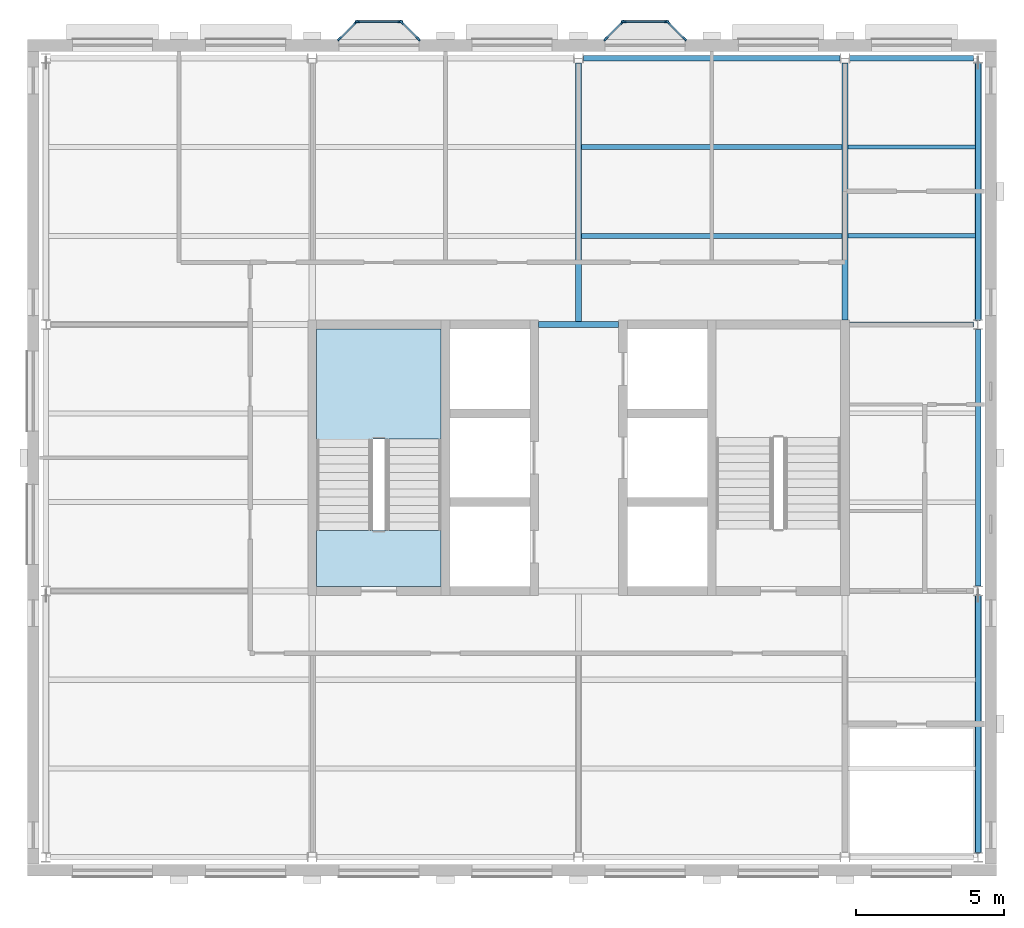
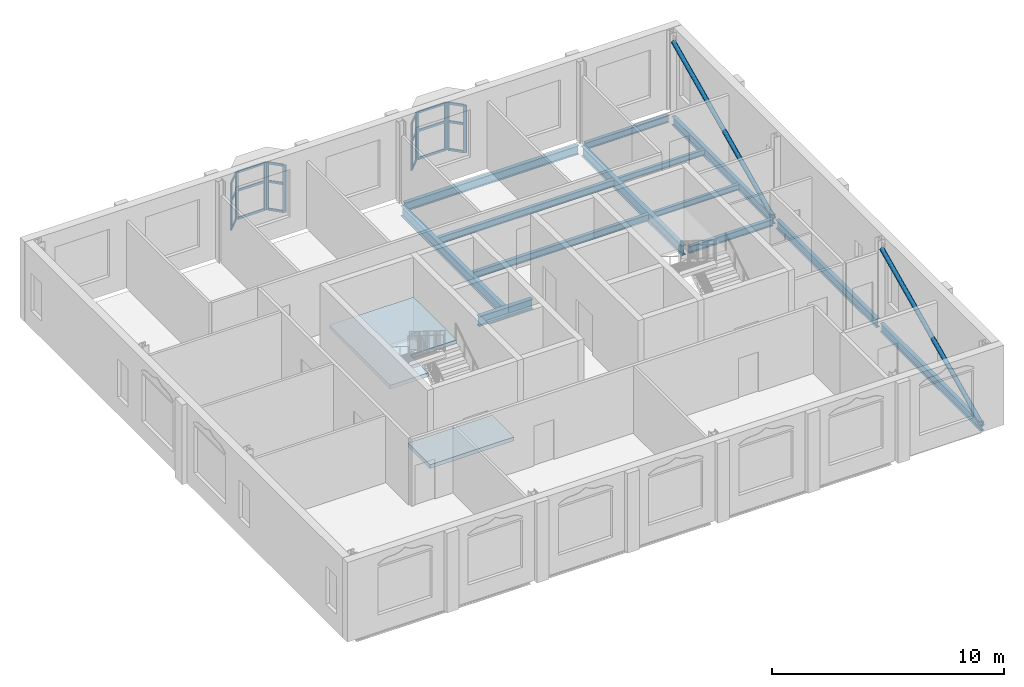
# One storey, part 2 of 9: 32 members, 13 beams, 2 slabs, 7 elements without a shape of their own.
"""IFC4 building model written with IfcOpenShell, lengths in metres."""

from ifc_helpers import new_model, si_unit, direction, frame, origin, origin_2d, place, context, subcontext, project, spatial, polyline, rectangle, hollow_circle, i_section, outline, extrude, material, layer, layer_set, material_profile, profile_set, type_object, element, aggregate, save


model = new_model("IFC4")

# Units and contexts
model_context = context("Model", 3, precision=1e-05, world=origin(), true_north=direction((0.0, 1.0)))
body_context = subcontext(model_context, "Body", "Model", "MODEL_VIEW")
ifc_project = project(units=[si_unit("LENGTHUNIT", "METRE"), si_unit("AREAUNIT", "SQUARE_METRE"), si_unit("VOLUMEUNIT", "CUBIC_METRE"), si_unit("PLANEANGLEUNIT", "RADIAN"), si_unit("MASSUNIT", "GRAM", prefix="KILO")], contexts=[model_context])

# Site, building, storey
site_placement = place(None, origin())
site = spatial("IfcSite", under=ifc_project, at=site_placement, CompositionType="ELEMENT")
building_placement = place(site_placement, origin())
building = spatial("IfcBuilding", under=site, at=building_placement, Name="Hortulan Conservatory and Botanical Research Centre", CompositionType="ELEMENT")
storey_placement = place(building_placement, frame((0.0, 0.0, 57.0)))
storey = spatial("IfcBuildingStorey", under=building, at=storey_placement, Name="L13", CompositionType="ELEMENT", Elevation=57.0)

# Members
ifc_material_1 = material(Name="Steel Grade C350L0 (350 MPa, AS/NZS 1163)", Category="steel")
ifc_material_profile_1 = material_profile(ifc_material_1, hollow_circle(Radius=0.109619140625, WallThickness=0.00830078125, at=origin_2d()), Name="219.1x8.2CHS")
ifc_profile_set_1 = profile_set([ifc_material_profile_1], Name="Steel Grade C350L0 (350 MPa, AS/NZS 1163)")
member_type_1 = type_object("IfcMemberType", Name="Brace 219.1x8.2CHS", PredefinedType="BRACE", material=ifc_profile_set_1)
for number, where, z_axis, x_axis, name in (
    (1, (31.5, 0.160400390625, -0.28369140625), (0.0, 0.906183139995, 0.422885465331), (-1.0, 0.0, 0.0), "219.1x8.2CHS brace"),
    (2, (31.5, 18.160400390625, -0.28369140625), (0.0, 0.906183139995, 0.422885465331), (-1.0, 0.0, 0.0), "219.1x8.2CHS brace"),
):
    element("IfcMember", number, at=place(storey_placement, frame(where, z_axis=z_axis, x_axis=x_axis)), inside=storey, type_object=member_type_1, Name=name, PredefinedType="BRACE", context=body_context, shape_type="SweptSolid", body=[
        extrude(hollow_circle(Radius=0.109619140625, WallThickness=0.00830078125, at=origin_2d()), origin(), (0.0, 0.0, 1.0), 9.57763671875),
    ])

# Curtain wall, members
ifc_material_2 = material(Name="Bronze-finished aluminium", Category="aluminium")
ifc_layer_1 = layer(ifc_material_2, 0.10009765625)
ifc_layer_set_1 = layer_set([ifc_layer_1], Name="Oriel Curtain Wall 1350 module")
curtain_wall_type = type_object("IfcCurtainWallType", Name="Oriel Curtain Wall 1350 module", PredefinedType="NOTDEFINED", material=ifc_layer_set_1)
curtain_wall_1_placement = place(storey_placement, origin())
curtain_wall_1 = element("IfcCurtainWall", 3, at=curtain_wall_1_placement, inside=storey, type_object=curtain_wall_type, Name="Oriel glazing", PredefinedType="NOTDEFINED")
ifc_material_profile_2 = material_profile(ifc_material_2, rectangle(XDim=0.06005859375, YDim=0.159912109375, at=origin_2d()), Name="Bronze Mullion 60x160")
ifc_profile_set_2 = profile_set([ifc_material_profile_2], Name="Bronze-finished aluminium")
member_type_2 = type_object("IfcMemberType", Name="Bronze Mullion 60x160", PredefinedType="MULLION", material=ifc_profile_set_2)
member_1_placement = place(storey_placement, frame((9.921142578125, 27.6572265625, 0.89990234375), z_axis=(0.0, 0.0, 1.0), x_axis=(-0.707106781187, 0.707106781187, 0.0)))
member_1 = element("IfcMember", 4, at=member_1_placement, type_object=member_type_2, Name="CW2 mullion 1", PredefinedType="MULLION", context=body_context, shape_type="SweptSolid", body=[
    extrude(rectangle(XDim=0.06005859375, YDim=0.159912109375, at=origin_2d()), origin(), (0.0, 0.0, 1.0), 2.5),
])
member_2_placement = place(storey_placement, frame((10.478759765625, 28.21484375, 0.89990234375), z_axis=(0.0, 0.0, 1.0), x_axis=(-0.707106781187, 0.707106781187, 0.0)))
member_2 = element("IfcMember", 5, at=member_2_placement, type_object=member_type_2, Name="CW2 mullion 2", PredefinedType="MULLION", context=body_context, shape_type="SweptSolid", body=[
    extrude(rectangle(XDim=0.06005859375, YDim=0.159912109375, at=origin_2d()), origin(), (0.0, 0.0, 1.0), 2.5),
])

curtain_wall_2_placement = place(storey_placement, origin())
curtain_wall_2 = element("IfcCurtainWall", 6, at=curtain_wall_2_placement, inside=storey, type_object=curtain_wall_type, Name="Oriel glazing", PredefinedType="NOTDEFINED")
member_3_placement = place(storey_placement, frame((10.530029296875, 28.236083984375, 0.89990234375), z_axis=(0.0, 0.0, 1.0), x_axis=(0.0, 1.0, 0.0)))
member_3 = element("IfcMember", 7, at=member_3_placement, type_object=member_type_2, Name="CW2 mullion 1", PredefinedType="MULLION", context=body_context, shape_type="SweptSolid", body=[
    extrude(rectangle(XDim=0.06005859375, YDim=0.159912109375, at=origin_2d()), origin(), (0.0, 0.0, 1.0), 2.5),
])
member_4_placement = place(storey_placement, frame((11.969970703125, 28.236083984375, 0.89990234375), z_axis=(0.0, 0.0, 1.0), x_axis=(0.0, 1.0, 0.0)))
member_4 = element("IfcMember", 8, at=member_4_placement, type_object=member_type_2, Name="CW2 mullion 2", PredefinedType="MULLION", context=body_context, shape_type="SweptSolid", body=[
    extrude(rectangle(XDim=0.06005859375, YDim=0.159912109375, at=origin_2d()), origin(), (0.0, 0.0, 1.0), 2.5),
])

curtain_wall_3_placement = place(storey_placement, origin())
curtain_wall_3 = element("IfcCurtainWall", 9, at=curtain_wall_3_placement, inside=storey, type_object=curtain_wall_type, Name="Oriel glazing", PredefinedType="NOTDEFINED")
member_5_placement = place(storey_placement, frame((12.021240234375, 28.21484375, 0.89990234375), z_axis=(0.0, 0.0, 1.0), x_axis=(0.707106781187, 0.707106781187, 0.0)))
member_5 = element("IfcMember", 10, at=member_5_placement, type_object=member_type_2, Name="CW2 mullion 1", PredefinedType="MULLION", context=body_context, shape_type="SweptSolid", body=[
    extrude(rectangle(XDim=0.06005859375, YDim=0.159912109375, at=origin_2d()), origin(), (0.0, 0.0, 1.0), 2.5),
])
member_6_placement = place(storey_placement, frame((12.578857421875, 27.6572265625, 0.89990234375), z_axis=(0.0, 0.0, 1.0), x_axis=(0.707106781187, 0.707106781187, 0.0)))
member_6 = element("IfcMember", 11, at=member_6_placement, type_object=member_type_2, Name="CW2 mullion 2", PredefinedType="MULLION", context=body_context, shape_type="SweptSolid", body=[
    extrude(rectangle(XDim=0.06005859375, YDim=0.159912109375, at=origin_2d()), origin(), (0.0, 0.0, 1.0), 2.5),
])

curtain_wall_4_placement = place(storey_placement, origin())
curtain_wall_4 = element("IfcCurtainWall", 12, at=curtain_wall_4_placement, inside=storey, type_object=curtain_wall_type, Name="Oriel glazing", PredefinedType="NOTDEFINED")
member_7_placement = place(storey_placement, frame((18.921142578125, 27.6572265625, 0.89990234375), z_axis=(0.0, 0.0, 1.0), x_axis=(-0.707106781187, 0.707106781187, 0.0)))
member_7 = element("IfcMember", 13, at=member_7_placement, type_object=member_type_2, Name="CW2 mullion 1", PredefinedType="MULLION", context=body_context, shape_type="SweptSolid", body=[
    extrude(rectangle(XDim=0.06005859375, YDim=0.159912109375, at=origin_2d()), origin(), (0.0, 0.0, 1.0), 2.5),
])
member_8_placement = place(storey_placement, frame((19.478759765625, 28.21484375, 0.89990234375), z_axis=(0.0, 0.0, 1.0), x_axis=(-0.707106781187, 0.707106781187, 0.0)))
member_8 = element("IfcMember", 14, at=member_8_placement, type_object=member_type_2, Name="CW2 mullion 2", PredefinedType="MULLION", context=body_context, shape_type="SweptSolid", body=[
    extrude(rectangle(XDim=0.06005859375, YDim=0.159912109375, at=origin_2d()), origin(), (0.0, 0.0, 1.0), 2.5),
])

curtain_wall_5_placement = place(storey_placement, origin())
curtain_wall_5 = element("IfcCurtainWall", 15, at=curtain_wall_5_placement, inside=storey, type_object=curtain_wall_type, Name="Oriel glazing", PredefinedType="NOTDEFINED")
member_9_placement = place(storey_placement, frame((19.530029296875, 28.236083984375, 0.89990234375), z_axis=(0.0, 0.0, 1.0), x_axis=(0.0, 1.0, 0.0)))
member_9 = element("IfcMember", 16, at=member_9_placement, type_object=member_type_2, Name="CW2 mullion 1", PredefinedType="MULLION", context=body_context, shape_type="SweptSolid", body=[
    extrude(rectangle(XDim=0.06005859375, YDim=0.159912109375, at=origin_2d()), origin(), (0.0, 0.0, 1.0), 2.5),
])
member_10_placement = place(storey_placement, frame((20.969970703125, 28.236083984375, 0.89990234375), z_axis=(0.0, 0.0, 1.0), x_axis=(0.0, 1.0, 0.0)))
member_10 = element("IfcMember", 17, at=member_10_placement, type_object=member_type_2, Name="CW2 mullion 2", PredefinedType="MULLION", context=body_context, shape_type="SweptSolid", body=[
    extrude(rectangle(XDim=0.06005859375, YDim=0.159912109375, at=origin_2d()), origin(), (0.0, 0.0, 1.0), 2.5),
])

curtain_wall_6_placement = place(storey_placement, origin())
curtain_wall_6 = element("IfcCurtainWall", 18, at=curtain_wall_6_placement, inside=storey, type_object=curtain_wall_type, Name="Oriel glazing", PredefinedType="NOTDEFINED")
member_11_placement = place(storey_placement, frame((21.021240234375, 28.21484375, 0.89990234375), z_axis=(0.0, 0.0, 1.0), x_axis=(0.707106781187, 0.707106781187, 0.0)))
member_11 = element("IfcMember", 19, at=member_11_placement, type_object=member_type_2, Name="CW2 mullion 1", PredefinedType="MULLION", context=body_context, shape_type="SweptSolid", body=[
    extrude(rectangle(XDim=0.06005859375, YDim=0.159912109375, at=origin_2d()), origin(), (0.0, 0.0, 1.0), 2.5),
])
member_12_placement = place(storey_placement, frame((21.578857421875, 27.6572265625, 0.89990234375), z_axis=(0.0, 0.0, 1.0), x_axis=(0.707106781187, 0.707106781187, 0.0)))
member_12 = element("IfcMember", 20, at=member_12_placement, type_object=member_type_2, Name="CW2 mullion 2", PredefinedType="MULLION", context=body_context, shape_type="SweptSolid", body=[
    extrude(rectangle(XDim=0.06005859375, YDim=0.159912109375, at=origin_2d()), origin(), (0.0, 0.0, 1.0), 2.5),
])

# Member
ifc_material_profile_3 = material_profile(ifc_material_2, rectangle(XDim=0.06005859375, YDim=0.1201171875, at=origin_2d()), Name="Bronze Transom 60x120")
ifc_profile_set_3 = profile_set([ifc_material_profile_3], Name="Bronze-finished aluminium")
member_type_3 = type_object("IfcMemberType", Name="Bronze Transom 60x120", PredefinedType="USERDEFINED", material=ifc_profile_set_3)
member_13_placement = place(storey_placement, frame((9.9423828125, 27.678466796875, 0.929931640625), z_axis=(0.707106781187, 0.707106781187, 0.0), x_axis=(-0.707106781187, 0.707106781187, 0.0)))
member_13 = element("IfcMember", 21, at=member_13_placement, type_object=member_type_3, Name="CW2 transom 1.1", ObjectType="TRANSOM", PredefinedType="USERDEFINED", context=body_context, shape_type="SweptSolid", body=[
    extrude(rectangle(XDim=0.06005859375, YDim=0.1201171875, at=origin_2d()), origin(), (0.0, 0.0, 1.0), 0.728515625),
])

member_14_placement = place(storey_placement, frame((9.9423828125, 27.678466796875, 2.39990234375), z_axis=(0.707106781187, 0.707106781187, 0.0), x_axis=(-0.707106781187, 0.707106781187, 0.0)))
member_14 = element("IfcMember", 22, at=member_14_placement, type_object=member_type_3, Name="CW2 transom 1.2", ObjectType="TRANSOM", PredefinedType="USERDEFINED", context=body_context, shape_type="SweptSolid", body=[
    extrude(rectangle(XDim=0.06005859375, YDim=0.1201171875, at=origin_2d()), origin(), (0.0, 0.0, 1.0), 0.728515625),
])

member_15_placement = place(storey_placement, frame((9.9423828125, 27.678466796875, 3.3701171875), z_axis=(0.707106781187, 0.707106781187, 0.0), x_axis=(-0.707106781187, 0.707106781187, 0.0)))
member_15 = element("IfcMember", 23, at=member_15_placement, type_object=member_type_3, Name="CW2 transom 1.3", ObjectType="TRANSOM", PredefinedType="USERDEFINED", context=body_context, shape_type="SweptSolid", body=[
    extrude(rectangle(XDim=0.06005859375, YDim=0.1201171875, at=origin_2d()), origin(), (0.0, 0.0, 1.0), 0.728515625),
])

aggregate(curtain_wall_1, [member_1, member_2, member_13, member_14, member_15])

member_16_placement = place(storey_placement, frame((10.56005859375, 28.236083984375, 0.929931640625), z_axis=(1.0, 0.0, 0.0), x_axis=(0.0, 1.0, 0.0)))
member_16 = element("IfcMember", 24, at=member_16_placement, type_object=member_type_3, Name="CW2 transom 1.1", ObjectType="TRANSOM", PredefinedType="USERDEFINED", context=body_context, shape_type="SweptSolid", body=[
    extrude(rectangle(XDim=0.06005859375, YDim=0.1201171875, at=origin_2d()), origin(), (0.0, 0.0, 1.0), 1.3798828125),
])

member_17_placement = place(storey_placement, frame((10.56005859375, 28.236083984375, 2.39990234375), z_axis=(1.0, 0.0, 0.0), x_axis=(0.0, 1.0, 0.0)))
member_17 = element("IfcMember", 25, at=member_17_placement, type_object=member_type_3, Name="CW2 transom 1.2", ObjectType="TRANSOM", PredefinedType="USERDEFINED", context=body_context, shape_type="SweptSolid", body=[
    extrude(rectangle(XDim=0.06005859375, YDim=0.1201171875, at=origin_2d()), origin(), (0.0, 0.0, 1.0), 1.3798828125),
])

member_18_placement = place(storey_placement, frame((10.56005859375, 28.236083984375, 3.3701171875), z_axis=(1.0, 0.0, 0.0), x_axis=(0.0, 1.0, 0.0)))
member_18 = element("IfcMember", 26, at=member_18_placement, type_object=member_type_3, Name="CW2 transom 1.3", ObjectType="TRANSOM", PredefinedType="USERDEFINED", context=body_context, shape_type="SweptSolid", body=[
    extrude(rectangle(XDim=0.06005859375, YDim=0.1201171875, at=origin_2d()), origin(), (0.0, 0.0, 1.0), 1.3798828125),
])

aggregate(curtain_wall_2, [member_3, member_4, member_16, member_17, member_18])

member_19_placement = place(storey_placement, frame((12.04248046875, 28.193603515625, 0.929931640625), z_axis=(0.707106781187, -0.707106781187, 0.0), x_axis=(0.707106781187, 0.707106781187, 0.0)))
member_19 = element("IfcMember", 27, at=member_19_placement, type_object=member_type_3, Name="CW2 transom 1.1", ObjectType="TRANSOM", PredefinedType="USERDEFINED", context=body_context, shape_type="SweptSolid", body=[
    extrude(rectangle(XDim=0.06005859375, YDim=0.1201171875, at=origin_2d()), origin(), (0.0, 0.0, 1.0), 0.728515625),
])

member_20_placement = place(storey_placement, frame((12.04248046875, 28.193603515625, 2.39990234375), z_axis=(0.707106781187, -0.707106781187, 0.0), x_axis=(0.707106781187, 0.707106781187, 0.0)))
member_20 = element("IfcMember", 28, at=member_20_placement, type_object=member_type_3, Name="CW2 transom 1.2", ObjectType="TRANSOM", PredefinedType="USERDEFINED", context=body_context, shape_type="SweptSolid", body=[
    extrude(rectangle(XDim=0.06005859375, YDim=0.1201171875, at=origin_2d()), origin(), (0.0, 0.0, 1.0), 0.728515625),
])

member_21_placement = place(storey_placement, frame((12.04248046875, 28.193603515625, 3.3701171875), z_axis=(0.707106781187, -0.707106781187, 0.0), x_axis=(0.707106781187, 0.707106781187, 0.0)))
member_21 = element("IfcMember", 29, at=member_21_placement, type_object=member_type_3, Name="CW2 transom 1.3", ObjectType="TRANSOM", PredefinedType="USERDEFINED", context=body_context, shape_type="SweptSolid", body=[
    extrude(rectangle(XDim=0.06005859375, YDim=0.1201171875, at=origin_2d()), origin(), (0.0, 0.0, 1.0), 0.728515625),
])

aggregate(curtain_wall_3, [member_5, member_6, member_19, member_20, member_21])

member_22_placement = place(storey_placement, frame((18.9423828125, 27.678466796875, 0.929931640625), z_axis=(0.707106781187, 0.707106781187, 0.0), x_axis=(-0.707106781187, 0.707106781187, 0.0)))
member_22 = element("IfcMember", 30, at=member_22_placement, type_object=member_type_3, Name="CW2 transom 1.1", ObjectType="TRANSOM", PredefinedType="USERDEFINED", context=body_context, shape_type="SweptSolid", body=[
    extrude(rectangle(XDim=0.06005859375, YDim=0.1201171875, at=origin_2d()), origin(), (0.0, 0.0, 1.0), 0.728515625),
])

member_23_placement = place(storey_placement, frame((18.9423828125, 27.678466796875, 2.39990234375), z_axis=(0.707106781187, 0.707106781187, 0.0), x_axis=(-0.707106781187, 0.707106781187, 0.0)))
member_23 = element("IfcMember", 31, at=member_23_placement, type_object=member_type_3, Name="CW2 transom 1.2", ObjectType="TRANSOM", PredefinedType="USERDEFINED", context=body_context, shape_type="SweptSolid", body=[
    extrude(rectangle(XDim=0.06005859375, YDim=0.1201171875, at=origin_2d()), origin(), (0.0, 0.0, 1.0), 0.728515625),
])

member_24_placement = place(storey_placement, frame((18.9423828125, 27.678466796875, 3.3701171875), z_axis=(0.707106781187, 0.707106781187, 0.0), x_axis=(-0.707106781187, 0.707106781187, 0.0)))
member_24 = element("IfcMember", 32, at=member_24_placement, type_object=member_type_3, Name="CW2 transom 1.3", ObjectType="TRANSOM", PredefinedType="USERDEFINED", context=body_context, shape_type="SweptSolid", body=[
    extrude(rectangle(XDim=0.06005859375, YDim=0.1201171875, at=origin_2d()), origin(), (0.0, 0.0, 1.0), 0.728515625),
])

aggregate(curtain_wall_4, [member_7, member_8, member_22, member_23, member_24])

member_25_placement = place(storey_placement, frame((19.56005859375, 28.236083984375, 0.929931640625), z_axis=(1.0, 0.0, 0.0), x_axis=(0.0, 1.0, 0.0)))
member_25 = element("IfcMember", 33, at=member_25_placement, type_object=member_type_3, Name="CW2 transom 1.1", ObjectType="TRANSOM", PredefinedType="USERDEFINED", context=body_context, shape_type="SweptSolid", body=[
    extrude(rectangle(XDim=0.06005859375, YDim=0.1201171875, at=origin_2d()), origin(), (0.0, 0.0, 1.0), 1.3798828125),
])

member_26_placement = place(storey_placement, frame((19.56005859375, 28.236083984375, 2.39990234375), z_axis=(1.0, 0.0, 0.0), x_axis=(0.0, 1.0, 0.0)))
member_26 = element("IfcMember", 34, at=member_26_placement, type_object=member_type_3, Name="CW2 transom 1.2", ObjectType="TRANSOM", PredefinedType="USERDEFINED", context=body_context, shape_type="SweptSolid", body=[
    extrude(rectangle(XDim=0.06005859375, YDim=0.1201171875, at=origin_2d()), origin(), (0.0, 0.0, 1.0), 1.3798828125),
])

member_27_placement = place(storey_placement, frame((19.56005859375, 28.236083984375, 3.3701171875), z_axis=(1.0, 0.0, 0.0), x_axis=(0.0, 1.0, 0.0)))
member_27 = element("IfcMember", 35, at=member_27_placement, type_object=member_type_3, Name="CW2 transom 1.3", ObjectType="TRANSOM", PredefinedType="USERDEFINED", context=body_context, shape_type="SweptSolid", body=[
    extrude(rectangle(XDim=0.06005859375, YDim=0.1201171875, at=origin_2d()), origin(), (0.0, 0.0, 1.0), 1.3798828125),
])

aggregate(curtain_wall_5, [member_9, member_10, member_25, member_26, member_27])

member_28_placement = place(storey_placement, frame((21.04248046875, 28.193603515625, 0.929931640625), z_axis=(0.707106781187, -0.707106781187, 0.0), x_axis=(0.707106781187, 0.707106781187, 0.0)))
member_28 = element("IfcMember", 36, at=member_28_placement, type_object=member_type_3, Name="CW2 transom 1.1", ObjectType="TRANSOM", PredefinedType="USERDEFINED", context=body_context, shape_type="SweptSolid", body=[
    extrude(rectangle(XDim=0.06005859375, YDim=0.1201171875, at=origin_2d()), origin(), (0.0, 0.0, 1.0), 0.728515625),
])

member_29_placement = place(storey_placement, frame((21.04248046875, 28.193603515625, 2.39990234375), z_axis=(0.707106781187, -0.707106781187, 0.0), x_axis=(0.707106781187, 0.707106781187, 0.0)))
member_29 = element("IfcMember", 37, at=member_29_placement, type_object=member_type_3, Name="CW2 transom 1.2", ObjectType="TRANSOM", PredefinedType="USERDEFINED", context=body_context, shape_type="SweptSolid", body=[
    extrude(rectangle(XDim=0.06005859375, YDim=0.1201171875, at=origin_2d()), origin(), (0.0, 0.0, 1.0), 0.728515625),
])

member_30_placement = place(storey_placement, frame((21.04248046875, 28.193603515625, 3.3701171875), z_axis=(0.707106781187, -0.707106781187, 0.0), x_axis=(0.707106781187, 0.707106781187, 0.0)))
member_30 = element("IfcMember", 38, at=member_30_placement, type_object=member_type_3, Name="CW2 transom 1.3", ObjectType="TRANSOM", PredefinedType="USERDEFINED", context=body_context, shape_type="SweptSolid", body=[
    extrude(rectangle(XDim=0.06005859375, YDim=0.1201171875, at=origin_2d()), origin(), (0.0, 0.0, 1.0), 0.728515625),
])

aggregate(curtain_wall_6, [member_11, member_12, member_28, member_29, member_30])

# Beams
ifc_material_3 = material(Name="Steel Grade 300PLUS (AS/NZS 3679.1, 280 MPa minimum yield)", Category="steel")
ifc_material_profile_4 = material_profile(ifc_material_3, i_section(OverallWidth=0.1708984375, OverallDepth=0.35595703125, WebThickness=0.00732421875, FlangeThickness=0.011474609375, FilletRadius=0.011474609375, at=origin_2d()), Name="360UB50.7")
ifc_profile_set_4 = profile_set([ifc_material_profile_4], Name="Steel Grade 300PLUS (AS/NZS 3679.1, 280 MPa minimum yield)")
beam_type_1 = type_object("IfcBeamType", Name="Primary Beam 360UB50.7", PredefinedType="BEAM", material=ifc_profile_set_4)
beam_1_placement = place(storey_placement, frame((27.160400390625, 27.0, -0.30810546875), z_axis=(1.0, 0.0, 0.0), x_axis=(0.0, 1.0, 0.0)))
element("IfcBeam", 39, at=beam_1_placement, inside=storey, type_object=beam_type_1, Name="360UB50.7 girder", PredefinedType="BEAM", context=body_context, shape_type="SweptSolid", body=[
    extrude(i_section(OverallWidth=0.1708984375, OverallDepth=0.35595703125, WebThickness=0.00732421875, FlangeThickness=0.011474609375, FilletRadius=0.011474609375, at=origin_2d()), origin(), (0.0, 0.0, 1.0), 4.18505859375),
])
beam_2_placement = place(storey_placement, frame((27.14990234375, 18.0, -0.30810546875), z_axis=(1.0, 0.0, 0.0), x_axis=(0.0, 1.0, 0.0)))
element("IfcBeam", 40, at=beam_2_placement, inside=storey, type_object=beam_type_1, Name="360UB50.7 girder", PredefinedType="BEAM", context=body_context, shape_type="SweptSolid", body=[
    extrude(i_section(OverallWidth=0.1708984375, OverallDepth=0.35595703125, WebThickness=0.00732421875, FlangeThickness=0.011474609375, FilletRadius=0.011474609375, at=origin_2d()), origin(), (0.0, 0.0, 1.0), 4.195556640625),
])
ifc_material_profile_5 = material_profile(ifc_material_3, i_section(OverallWidth=0.18994140625, OverallDepth=0.45703125, WebThickness=0.009033203125, FlangeThickness=0.014404296875, FilletRadius=0.011474609375, at=origin_2d()), Name="460UB74.6")
ifc_profile_set_5 = profile_set([ifc_material_profile_5], Name="Steel Grade 300PLUS (AS/NZS 3679.1, 280 MPa minimum yield)")
beam_type_2 = type_object("IfcBeamType", Name="Primary Beam 460UB74.6", PredefinedType="BEAM", material=ifc_profile_set_5)
for number, where, z_axis, x_axis, name in (
    (41, (18.160400390625, 27.0, -0.3583984375), (1.0, 0.0, 0.0), (0.0, 1.0, 0.0), "460UB74.6 girder"),
    (42, (31.5, 0.160400390625, -0.3583984375), (0.0, 1.0, 0.0), (-1.0, 0.0, 0.0), "460UB74.6 girder"),
    (43, (31.5, 9.160400390625, -0.3583984375), (0.0, 1.0, 0.0), (-1.0, 0.0, 0.0), "460UB74.6 girder"),
    (44, (31.5, 18.160400390625, -0.3583984375), (0.0, 1.0, 0.0), (-1.0, 0.0, 0.0), "460UB74.6 girder"),
):
    element("IfcBeam", number, at=place(storey_placement, frame(where, z_axis=z_axis, x_axis=x_axis)), inside=storey, type_object=beam_type_2, Name=name, PredefinedType="BEAM", context=body_context, shape_type="SweptSolid", body=[
        extrude(i_section(OverallWidth=0.18994140625, OverallDepth=0.45703125, WebThickness=0.009033203125, FlangeThickness=0.014404296875, FilletRadius=0.011474609375, at=origin_2d()), origin(), (0.0, 0.0, 1.0), 8.67919921875),
    ])
ifc_material_profile_6 = material_profile(ifc_material_3, i_section(OverallWidth=0.208984375, OverallDepth=0.528076171875, WebThickness=0.009521484375, FlangeThickness=0.01318359375, FilletRadius=0.013916015625, at=origin_2d()), Name="530UB82.0")
ifc_profile_set_6 = profile_set([ifc_material_profile_6], Name="Steel Grade 300PLUS (AS/NZS 3679.1, 280 MPa minimum yield)")
beam_type_3 = type_object("IfcBeamType", Name="Primary Beam 530UB82.0", PredefinedType="BEAM", material=ifc_profile_set_6)
beam_3_placement = place(storey_placement, frame((16.64990234375, 18.0, -0.39404296875), z_axis=(1.0, 0.0, 0.0), x_axis=(0.0, 1.0, 0.0)))
element("IfcBeam", 45, at=beam_3_placement, inside=storey, type_object=beam_type_3, Name="530UB82.0 girder", PredefinedType="BEAM", context=body_context, shape_type="SweptSolid", body=[
    extrude(i_section(OverallWidth=0.208984375, OverallDepth=0.528076171875, WebThickness=0.009521484375, FlangeThickness=0.01318359375, FilletRadius=0.013916015625, at=origin_2d()), origin(), (0.0, 0.0, 1.0), 2.7001953125),
])
beam_4_placement = place(storey_placement, frame((18.0, 18.0, -0.39404296875), z_axis=(0.0, 1.0, 0.0), x_axis=(-1.0, 0.0, 0.0)))
element("IfcBeam", 46, at=beam_4_placement, inside=storey, type_object=beam_type_3, Name="530UB82.0 girder", PredefinedType="BEAM", context=body_context, shape_type="SweptSolid", body=[
    extrude(i_section(OverallWidth=0.208984375, OverallDepth=0.528076171875, WebThickness=0.009521484375, FlangeThickness=0.01318359375, FilletRadius=0.013916015625, at=origin_2d()), origin(), (0.0, 0.0, 1.0), 8.845458984375),
])
beam_5_placement = place(storey_placement, frame((27.0, 18.14990234375, -0.39404296875), z_axis=(0.0, 1.0, 0.0), x_axis=(-1.0, 0.0, 0.0)))
element("IfcBeam", 47, at=beam_5_placement, inside=storey, type_object=beam_type_3, Name="530UB82.0 girder", PredefinedType="BEAM", context=body_context, shape_type="SweptSolid", body=[
    extrude(i_section(OverallWidth=0.208984375, OverallDepth=0.528076171875, WebThickness=0.009521484375, FlangeThickness=0.01318359375, FilletRadius=0.013916015625, at=origin_2d()), origin(), (0.0, 0.0, 1.0), 8.695556640625),
])
ifc_material_profile_7 = material_profile(ifc_material_3, i_section(OverallWidth=0.14892578125, OverallDepth=0.298095703125, WebThickness=0.005615234375, FlangeThickness=0.008056640625, FilletRadius=0.012939453125, at=origin_2d()), Name="310UB32.0")
ifc_profile_set_7 = profile_set([ifc_material_profile_7], Name="Steel Grade 300PLUS (AS/NZS 3679.1, 280 MPa minimum yield)")
beam_type_4 = type_object("IfcBeamType", Name="Secondary Beam 310UB32.0", PredefinedType="JOIST", material=ifc_profile_set_7)
for number, where, z_axis, x_axis, name in (
    (48, (27.1044921875, 21.0, -0.279052734375), (1.0, 0.0, 0.0), (0.0, 1.0, 0.0), "310UB32.0 secondary beam"),
    (49, (27.1044921875, 24.0, -0.279052734375), (1.0, 0.0, 0.0), (0.0, 1.0, 0.0), "310UB32.0 secondary beam"),
):
    element("IfcBeam", number, at=place(storey_placement, frame(where, z_axis=z_axis, x_axis=x_axis)), inside=storey, type_object=beam_type_4, Name=name, PredefinedType="JOIST", context=body_context, shape_type="SweptSolid", body=[
        extrude(i_section(OverallWidth=0.14892578125, OverallDepth=0.298095703125, WebThickness=0.005615234375, FlangeThickness=0.008056640625, FilletRadius=0.012939453125, at=origin_2d()), origin(), (0.0, 0.0, 1.0), 4.300537109375),
    ])
ifc_material_profile_8 = material_profile(ifc_material_3, i_section(OverallWidth=0.1708984375, OverallDepth=0.35595703125, WebThickness=0.00732421875, FlangeThickness=0.011474609375, FilletRadius=0.011474609375, at=origin_2d()), Name="360UB50.7")
ifc_profile_set_8 = profile_set([ifc_material_profile_8], Name="Steel Grade 300PLUS (AS/NZS 3679.1, 280 MPa minimum yield)")
beam_type_5 = type_object("IfcBeamType", Name="Secondary Beam 360UB50.7", PredefinedType="JOIST", material=ifc_profile_set_8)
for number, where, z_axis, x_axis, name in (
    (50, (18.1044921875, 21.0, -0.30810546875), (1.0, 0.0, 0.0), (0.0, 1.0, 0.0), "360UB50.7 secondary beam"),
    (51, (18.1044921875, 24.0, -0.30810546875), (1.0, 0.0, 0.0), (0.0, 1.0, 0.0), "360UB50.7 secondary beam"),
):
    element("IfcBeam", number, at=place(storey_placement, frame(where, z_axis=z_axis, x_axis=x_axis)), inside=storey, type_object=beam_type_5, Name=name, PredefinedType="JOIST", context=body_context, shape_type="SweptSolid", body=[
        extrude(i_section(OverallWidth=0.1708984375, OverallDepth=0.35595703125, WebThickness=0.00732421875, FlangeThickness=0.011474609375, FilletRadius=0.011474609375, at=origin_2d()), origin(), (0.0, 0.0, 1.0), 8.791015625),
    ])

# Stair, slab
ifc_material_4 = material(Name="Concrete N40 (40 MPa, AS 3600)", Category="concrete")
stair_type = type_object("IfcStairType", Name="Concrete Escape Stair 1900", PredefinedType="HALF_TURN_STAIR", material=ifc_material_4)
stair_placement = place(storey_placement, origin())
stair = element("IfcStair", 52, at=stair_placement, inside=storey, type_object=stair_type, Name="Stair T1 L13", PredefinedType="HALF_TURN_STAIR")
ifc_layer_2 = layer(ifc_material_4, 0.199951171875)
ifc_layer_set_2 = layer_set([ifc_layer_2], Name="Stair Landing 200")
slab_type = type_object("IfcSlabType", Name="Stair Landing 200", PredefinedType="LANDING", material=ifc_layer_set_2)
slab_1_placement = place(storey_placement, frame((0.0, 0.0, 1.89990234375)))
slab_1 = element("IfcSlab", 53, at=slab_1_placement, type_object=slab_type, Name="Stair T1 L13 half landing 1", PredefinedType="LANDING", context=body_context, shape_type="SweptSolid", body=[
    extrude(outline(polyline([(13.35009765625, 14.12939453125), (11.050048828125, 14.12939453125), (11.050048828125, 12.590087890625), (9.14990234375, 12.590087890625), (9.14990234375, 14.12939453125), (9.14990234375, 14.1298828125), (9.14990234375, 14.139892578125), (9.14990234375, 17.85009765625), (13.35009765625, 17.85009765625), (13.35009765625, 14.139892578125), (13.35009765625, 14.1298828125), (13.35009765625, 14.12939453125)])), origin(), (0.0, 0.0, 1.0), 0.2001953125),
])
aggregate(stair, [slab_1])

# Slab
slab_2_placement = place(storey_placement, frame((0.0, 0.0, -0.199951171875)))
element("IfcSlab", 54, at=slab_2_placement, inside=storey, type_object=slab_type, Name="Stair T1 floor landing L13", PredefinedType="LANDING", context=body_context, shape_type="SweptSolid", body=[
    extrude(outline(polyline([(13.35009765625, 9.14990234375), (9.14990234375, 9.14990234375), (9.14990234375, 11.050048828125), (13.35009765625, 11.050048828125), (13.35009765625, 9.14990234375)])), origin(), (0.0, 0.0, 1.0), 0.199951171875),
])

save(model, "model.ifc")
